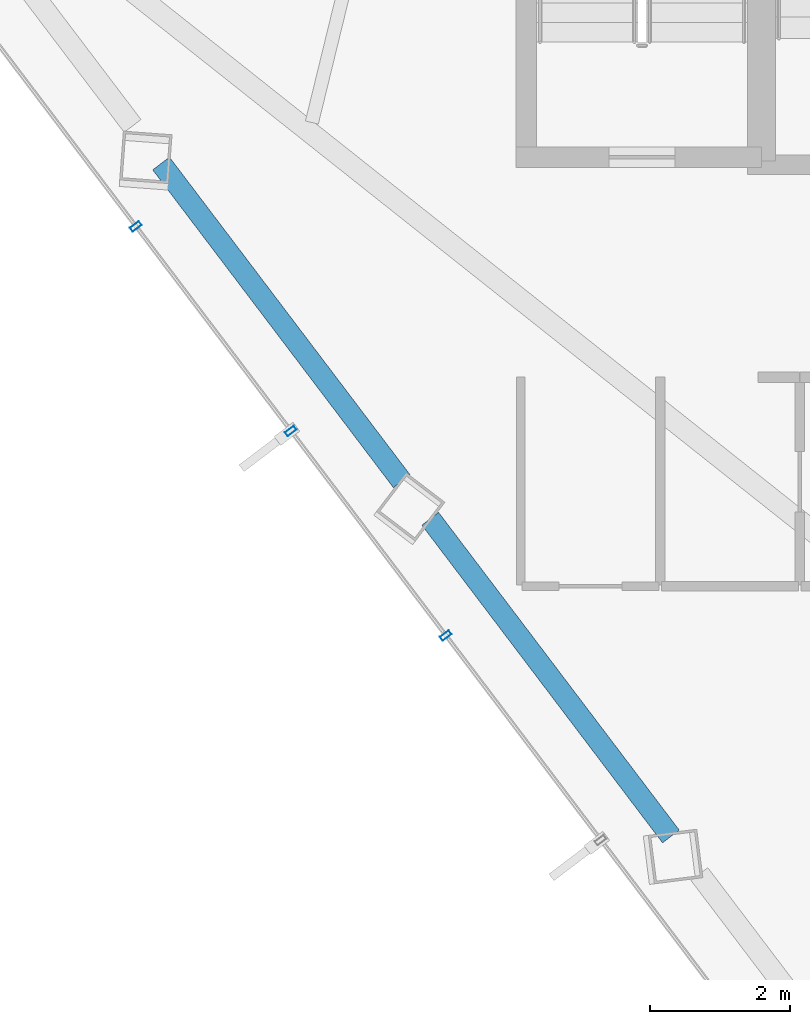
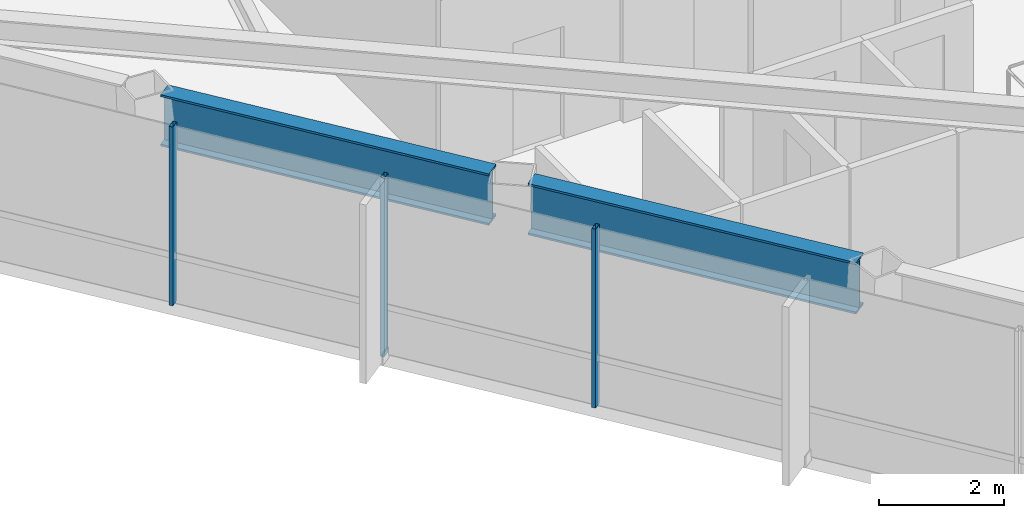
# One storey, part 4 of 27: 3 members, 2 beams, 1 element without a shape of its own.
"""IFC4 building model written with IfcOpenShell, lengths in metres."""

from ifc_helpers import new_model, si_unit, direction, frame, origin, origin_2d, place, context, subcontext, project, spatial, hollow_rectangle, i_section, extrude, material, layer, layer_set, material_profile, profile_set, type_object, element, aggregate, save


model = new_model("IFC4")

# Units and contexts
model_context = context("Model", 3, precision=1e-05, world=origin(), true_north=direction((0.0, 1.0)))
body_context = subcontext(model_context, "Body", "Model", "MODEL_VIEW")
ifc_project = project(units=[si_unit("LENGTHUNIT", "METRE"), si_unit("AREAUNIT", "SQUARE_METRE"), si_unit("VOLUMEUNIT", "CUBIC_METRE"), si_unit("PLANEANGLEUNIT", "RADIAN"), si_unit("MASSUNIT", "GRAM", prefix="KILO")], contexts=[model_context])

# Site, building, storey
site_placement = place(None, origin())
site = spatial("IfcSite", under=ifc_project, at=site_placement, CompositionType="ELEMENT")
building_placement = place(site_placement, origin())
building = spatial("IfcBuilding", under=site, at=building_placement, Name="Zarrinselat Tower", CompositionType="ELEMENT")
storey_placement = place(building_placement, frame((0.0, 0.0, 172.0400390625)))
storey = spatial("IfcBuildingStorey", under=building, at=storey_placement, Name="L42", CompositionType="ELEMENT", Elevation=172.0400390625)

# Beams
ifc_material_1 = material(Name="Steel S460M", Category="steel")
ifc_material_profile_1 = material_profile(ifc_material_1, i_section(OverallWidth=0.302001953125, OverallDepth=1.008056640625, WebThickness=0.02099609375, FlangeThickness=0.0400390625, at=origin_2d()), Name="HEM 1000")
ifc_profile_set_1 = profile_set([ifc_material_profile_1], Name="Steel S460M")
beam_type = type_object("IfcBeamType", Name="BM-HEM1000", PredefinedType="BEAM", material=ifc_profile_set_1)
for number, where, z_axis, x_axis, name in (
    (1, (19.9970703125, 33.210693359375, 2.995849609375), (0.603850281266, -0.797097759259, 0.0), (0.797097759259, 0.603850281266, 0.0), "L42 Perimeter Spandrel Girder SP07"),
    (2, (23.854248046875, 28.119140625, 2.995849609375), (0.603850281266, -0.797097759259, 0.0), (0.797097759259, 0.603850281266, 0.0), "L42 Perimeter Spandrel Girder SP08"),
):
    element("IfcBeam", number, at=place(storey_placement, frame(where, z_axis=z_axis, x_axis=x_axis)), inside=storey, type_object=beam_type, Name=name, PredefinedType="BEAM", context=body_context, shape_type="SweptSolid", body=[
        extrude(i_section(OverallWidth=0.302001953125, OverallDepth=1.008056640625, WebThickness=0.02099609375, FlangeThickness=0.0400390625, at=origin_2d()), origin(), (0.0, 0.0, 1.0), 5.711669921875),
    ])

# Curtain wall, members
ifc_material_2 = material(Name="Extruded Aluminium Alloy EN AW-6063 T6", Category="aluminium")
ifc_layer = layer(ifc_material_2, 0.175048828125)
ifc_layer_set = layer_set([ifc_layer], Name="Extruded Aluminium Alloy EN AW-6063 T6")
curtain_wall_type = type_object("IfcCurtainWallType", Name="CWS-HTL", PredefinedType="NOTDEFINED", material=ifc_layer_set)
curtain_wall_placement = place(storey_placement, origin())
curtain_wall = element("IfcCurtainWall", 3, at=curtain_wall_placement, inside=storey, type_object=curtain_wall_type, Name="L42 Unitised Curtain Wall CW-L42-E03", PredefinedType="NOTDEFINED")
ifc_material_3 = material(Name="Extruded Aluminium Alloy EN AW-6063 T6", Category="aluminium")
ifc_material_profile_2 = material_profile(ifc_material_3, hollow_rectangle(XDim=0.070068359375, YDim=0.159912109375, WallThickness=0.00390625, at=origin_2d()), Name="RHS 160x70x4")
ifc_profile_set_2 = profile_set([ifc_material_profile_2], Name="Extruded Aluminium Alloy EN AW-6063 T6")
member_type = type_object("IfcMemberType", Name="MEM-CW-MUL2", PredefinedType="MULLION", material=ifc_profile_set_2)
member_1_placement = place(storey_placement, frame((19.635009765625, 32.308837890625, 0.0), z_axis=(0.0, 0.0, 1.0), x_axis=(0.603857987184, -0.797091921496, 0.0)))
member_1 = element("IfcMember", 4, at=member_1_placement, type_object=member_type, Name="CW-L42-E03 Mullion 2", PredefinedType="MULLION", context=body_context, shape_type="SweptSolid", body=[
    extrude(hollow_rectangle(XDim=0.070068359375, YDim=0.159912109375, WallThickness=0.00390625, at=origin_2d()), origin(), (0.0, 0.0, 1.0), 3.5),
])
member_2_placement = place(storey_placement, frame((21.85546875, 29.377685546875, 0.0), z_axis=(0.0, 0.0, 1.0), x_axis=(0.603857987184, -0.797091921496, 0.0)))
member_2 = element("IfcMember", 5, at=member_2_placement, type_object=member_type, Name="CW-L42-E03 Mullion 3", PredefinedType="MULLION", context=body_context, shape_type="SweptSolid", body=[
    extrude(hollow_rectangle(XDim=0.070068359375, YDim=0.159912109375, WallThickness=0.00390625, at=origin_2d()), origin(), (0.0, 0.0, 1.0), 3.5),
])
member_3_placement = place(storey_placement, frame((24.075927734375, 26.446533203125, 0.0), z_axis=(0.0, 0.0, 1.0), x_axis=(0.603857987184, -0.797091921496, 0.0)))
member_3 = element("IfcMember", 6, at=member_3_placement, type_object=member_type, Name="CW-L42-E03 Mullion 4", PredefinedType="MULLION", context=body_context, shape_type="SweptSolid", body=[
    extrude(hollow_rectangle(XDim=0.070068359375, YDim=0.159912109375, WallThickness=0.00390625, at=origin_2d()), origin(), (0.0, 0.0, 1.0), 3.5),
])
aggregate(curtain_wall, [member_1, member_2, member_3])

save(model, "model.ifc")
